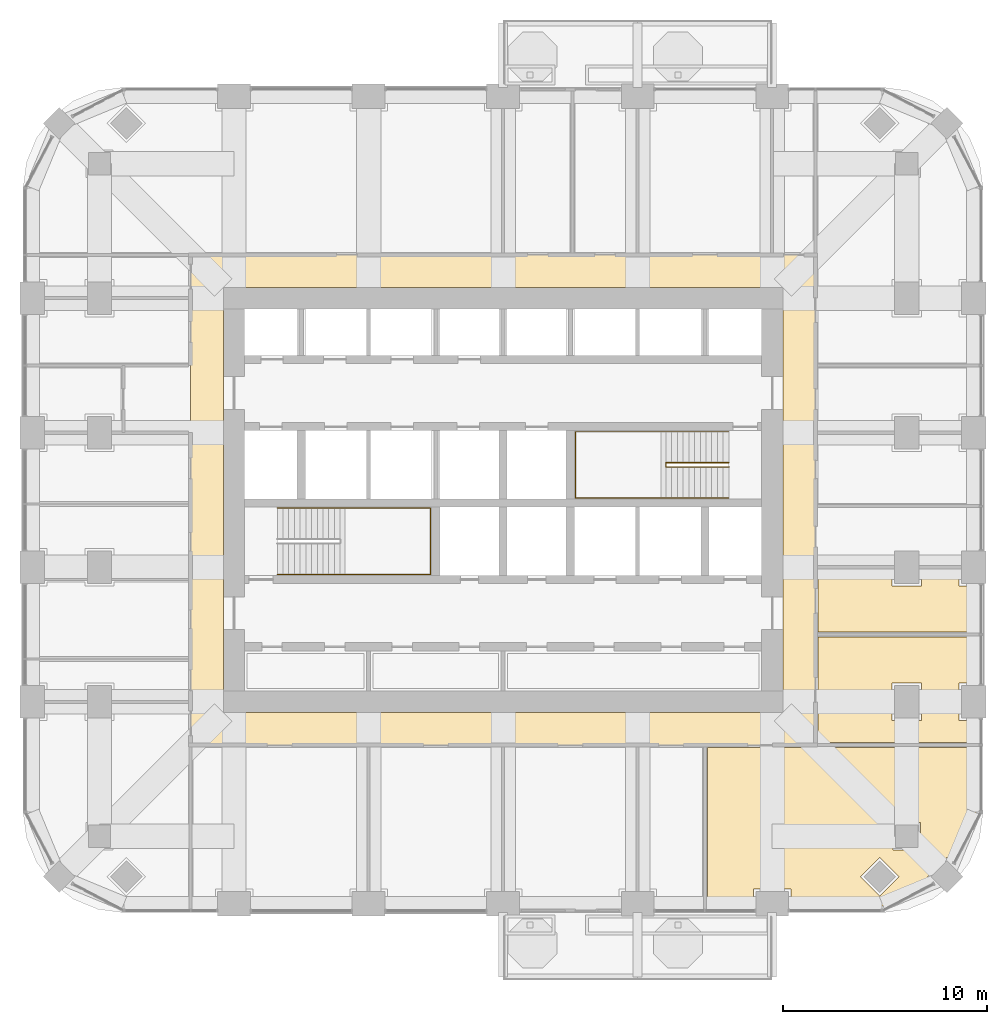
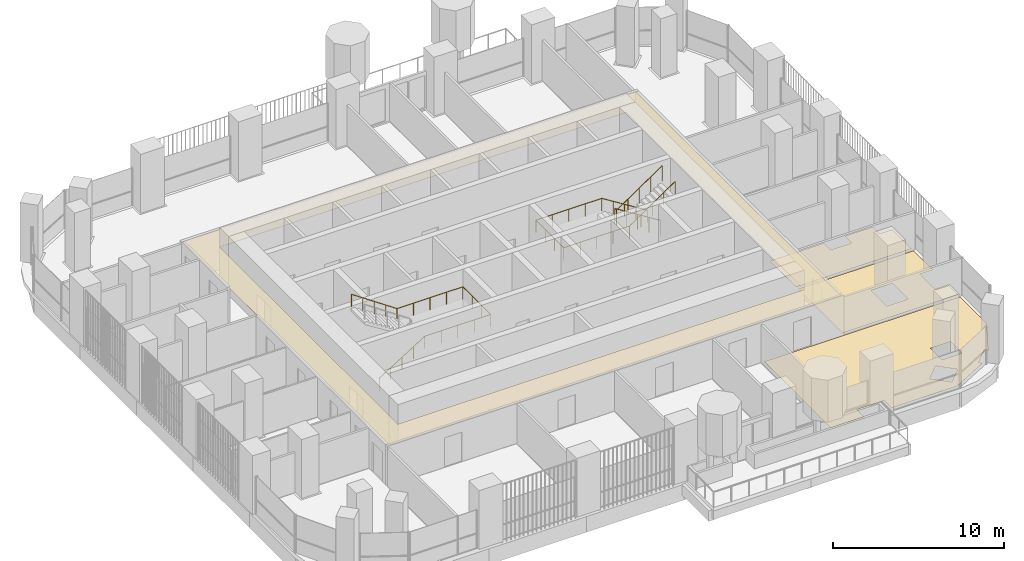
# One storey, part 18 of 20: 4 coverings, 3 railings.
"""IFC4 building model written with IfcOpenShell, lengths in metres."""

from ifc_helpers import new_model, si_unit, direction, frame, origin, place, context, subcontext, project, spatial, polyline, outline, extrude, material, layer, layer_set, type_object, element, save


model = new_model("IFC4")

# Units and contexts
model_context = context("Model", 3, precision=1e-05, world=origin(), true_north=direction((0.0, 1.0)))
body_context = subcontext(model_context, "Body", "Model", "MODEL_VIEW")
ifc_project = project(units=[si_unit("LENGTHUNIT", "METRE"), si_unit("AREAUNIT", "SQUARE_METRE"), si_unit("VOLUMEUNIT", "CUBIC_METRE"), si_unit("PLANEANGLEUNIT", "RADIAN"), si_unit("MASSUNIT", "GRAM", prefix="KILO")], contexts=[model_context])

# Site, building, storey
site_placement = place(None, origin())
site = spatial("IfcSite", under=ifc_project, at=site_placement, CompositionType="ELEMENT")
building_placement = place(site_placement, origin())
building = spatial("IfcBuilding", under=site, at=building_placement, Name="Cobogo Forest Laboratory Tower", CompositionType="ELEMENT")
storey_placement = place(building_placement, frame((0.0, 0.0, 189.300048828125)))
storey = spatial("IfcBuildingStorey", under=building, at=storey_placement, Name="L43", CompositionType="ELEMENT", Elevation=189.300048828125)

# Covering
ifc_material_1 = material(Name="Mineral fibre ceiling tile", Category="ceiling")
ifc_layer_1 = layer(ifc_material_1, 0.02001953125)
ifc_layer_set_1 = layer_set([ifc_layer_1], Name="CL1 suspended ceiling")
covering_type_1 = type_object("IfcCoveringType", Name="CL1 suspended ceiling", PredefinedType="CEILING", material=ifc_layer_set_1)
covering_1_placement = place(storey_placement, frame((0.0, 0.0, 2.800048828125)))
element("IfcCovering", 1, at=covering_1_placement, inside=storey, type_object=covering_type_1, Name="Corridor ceiling L43", PredefinedType="CEILING", context=body_context, shape_type="SweptSolid", body=[
    extrude(outline(polyline([(11.074951171875, 11.074951171875), (11.074951171875, 35.125), (41.72509765625, 35.125), (41.72509765625, 11.074951171875), (11.074951171875, 11.074951171875)]), holes=[polyline([(40.125, 33.52490234375), (12.675048828125, 33.52490234375), (12.675048828125, 12.675048828125), (40.125, 12.675048828125), (40.125, 33.52490234375)])]), origin(), (0.0, 0.0, 1.0), 0.02001953125),
])

# Railings
ifc_material_2 = material(Name="Steel balustrade", Category="steel")
railing_type_1 = type_object("IfcRailingType", Name="GR stair guard 1100", PredefinedType="GUARDRAIL", material=ifc_material_2)
railing_1_placement = place(storey_placement, frame((37.47509765625, 24.929931640625, 0.175048828125)))
element("IfcRailing", 2, at=railing_1_placement, inside=storey, type_object=railing_type_1, Name="Stair guard ST2 L43", PredefinedType="GUARDRAIL", context=body_context, shape_type="SweptSolid", body=[
    extrude(outline(polyline([(0.022216796875, 0.00927734375), (0.00927734375, 0.022216796875), (-0.00927734375, 0.022216796875), (-0.022216796875, 0.00927734375), (-0.022216796875, -0.00927734375), (-0.00927734375, -0.022216796875), (0.00927734375, -0.022216796875), (0.022216796875, -0.00927734375), (0.022216796875, 0.00927734375)])), frame((0.0, 0.0, 1.077880859375), z_axis=(-0.848028513186, 0.0, 0.529950602248), x_axis=(0.0, -1.0, 0.0)), (0.0, 0.0, 1.0), 3.632080078125),
    extrude(outline(polyline([(0.022216796875, 0.00927734375), (0.00927734375, 0.022216796875), (-0.00927734375, 0.022216796875), (-0.022216796875, 0.00927734375), (-0.022216796875, -0.00927734375), (-0.00927734375, -0.022216796875), (0.00927734375, -0.022216796875), (0.022216796875, -0.00927734375), (0.022216796875, 0.00927734375)])), frame((-3.080078125, 0.0, 3.002685546875), z_axis=(0.0, -1.0, 0.0), x_axis=(1.0, 0.0, 0.0)), (0.0, 0.0, 1.0), 0.2099609375),
    extrude(outline(polyline([(0.022216796875, 0.00927734375), (0.00927734375, 0.022216796875), (-0.00927734375, 0.022216796875), (-0.022216796875, 0.00927734375), (-0.022216796875, -0.00927734375), (-0.00927734375, -0.022216796875), (0.00927734375, -0.022216796875), (0.022216796875, -0.00927734375), (0.022216796875, 0.00927734375)])), frame((-3.080078125, -0.2099609375, 3.002685546875), z_axis=(0.826221800596, 0.0, 0.563344953133), x_axis=(0.0, 1.0, 0.0)), (0.0, 0.0, 1.0), 3.72802734375),
    extrude(outline(polyline([(0.019287109375, 0.008056640625), (0.008056640625, 0.019287109375), (-0.008056640625, 0.019287109375), (-0.019287109375, 0.008056640625), (-0.019287109375, -0.008056640625), (-0.008056640625, -0.019287109375), (0.008056640625, -0.019287109375), (0.019287109375, -0.008056640625), (0.019287109375, 0.008056640625)])), origin(), (0.0, 0.0, 1.0), 1.077880859375),
    extrude(outline(polyline([(0.019287109375, 0.008056640625), (0.008056640625, 0.019287109375), (-0.008056640625, 0.019287109375), (-0.019287109375, 0.008056640625), (-0.019287109375, -0.008056640625), (-0.008056640625, -0.019287109375), (0.008056640625, -0.019287109375), (0.019287109375, -0.008056640625), (0.019287109375, 0.008056640625)])), frame((-0.77001953125, 0.0, 0.481201171875)), (0.0, 0.0, 1.0), 1.077880859375),
    extrude(outline(polyline([(0.019287109375, 0.008056640625), (0.008056640625, 0.019287109375), (-0.008056640625, 0.019287109375), (-0.019287109375, 0.008056640625), (-0.019287109375, -0.008056640625), (-0.008056640625, -0.019287109375), (0.008056640625, -0.019287109375), (0.019287109375, -0.008056640625), (0.019287109375, 0.008056640625)])), frame((-1.5400390625, 0.0, 0.96240234375)), (0.0, 0.0, 1.0), 1.077880859375),
    extrude(outline(polyline([(0.019287109375, 0.008056640625), (0.008056640625, 0.019287109375), (-0.008056640625, 0.019287109375), (-0.019287109375, 0.008056640625), (-0.019287109375, -0.008056640625), (-0.008056640625, -0.019287109375), (0.008056640625, -0.019287109375), (0.019287109375, -0.008056640625), (0.019287109375, 0.008056640625)])), frame((-2.31005859375, 0.0, 1.443603515625)), (0.0, 0.0, 1.0), 1.077880859375),
    extrude(outline(polyline([(0.019287109375, 0.008056640625), (0.008056640625, 0.019287109375), (-0.008056640625, 0.019287109375), (-0.019287109375, 0.008056640625), (-0.019287109375, -0.008056640625), (-0.008056640625, -0.019287109375), (0.008056640625, -0.019287109375), (0.019287109375, -0.008056640625), (0.019287109375, 0.008056640625)])), frame((-3.080078125, 0.0, 1.9248046875)), (0.0, 0.0, 1.0), 1.077880859375),
    extrude(outline(polyline([(0.019287109375, 0.008056640625), (0.008056640625, 0.019287109375), (-0.008056640625, 0.019287109375), (-0.019287109375, 0.008056640625), (-0.019287109375, -0.008056640625), (-0.008056640625, -0.019287109375), (0.008056640625, -0.019287109375), (0.019287109375, -0.008056640625), (0.019287109375, 0.008056640625)])), frame((-3.080078125, -0.2099609375, 1.9248046875)), (0.0, 0.0, 1.0), 1.077880859375),
    extrude(outline(polyline([(0.019287109375, 0.008056640625), (0.008056640625, 0.019287109375), (-0.008056640625, 0.019287109375), (-0.019287109375, 0.008056640625), (-0.019287109375, -0.008056640625), (-0.008056640625, -0.019287109375), (0.008056640625, -0.019287109375), (0.019287109375, -0.008056640625), (0.019287109375, 0.008056640625)])), frame((-2.31005859375, -0.2099609375, 2.44970703125)), (0.0, 0.0, 1.0), 1.077880859375),
    extrude(outline(polyline([(0.019287109375, 0.008056640625), (0.008056640625, 0.019287109375), (-0.008056640625, 0.019287109375), (-0.019287109375, 0.008056640625), (-0.019287109375, -0.008056640625), (-0.008056640625, -0.019287109375), (0.008056640625, -0.019287109375), (0.019287109375, -0.008056640625), (0.019287109375, 0.008056640625)])), frame((-1.5400390625, -0.2099609375, 2.974853515625)), (0.0, 0.0, 1.0), 1.077880859375),
    extrude(outline(polyline([(0.019287109375, 0.008056640625), (0.008056640625, 0.019287109375), (-0.008056640625, 0.019287109375), (-0.019287109375, 0.008056640625), (-0.019287109375, -0.008056640625), (-0.008056640625, -0.019287109375), (0.008056640625, -0.019287109375), (0.019287109375, -0.008056640625), (0.019287109375, 0.008056640625)])), frame((-0.77001953125, -0.2099609375, 3.5)), (0.0, 0.0, 1.0), 1.077880859375),
    extrude(outline(polyline([(0.019287109375, 0.008056640625), (0.008056640625, 0.019287109375), (-0.008056640625, 0.019287109375), (-0.019287109375, 0.008056640625), (-0.019287109375, -0.008056640625), (-0.008056640625, -0.019287109375), (0.008056640625, -0.019287109375), (0.019287109375, -0.008056640625), (0.019287109375, 0.008056640625)])), frame((0.0, -0.2099609375, 4.02490234375)), (0.0, 0.0, 1.0), 1.077880859375),
])
ifc_material_3 = material(Name="Stainless steel handrail", Category="steel")
railing_type_2 = type_object("IfcRailingType", Name="HR handrail 900", PredefinedType="HANDRAIL", material=ifc_material_3)
railing_2_placement = place(storey_placement, frame((15.324951171875, 19.449951171875, 0.175048828125)))
element("IfcRailing", 3, at=railing_2_placement, inside=storey, type_object=railing_type_2, Name="Stair handrail ST1 L43", PredefinedType="HANDRAIL", context=body_context, shape_type="SweptSolid", body=[
    extrude(outline(polyline([(0.022216796875, 0.00927734375), (0.00927734375, 0.022216796875), (-0.00927734375, 0.022216796875), (-0.022216796875, 0.00927734375), (-0.022216796875, -0.00927734375), (-0.00927734375, -0.022216796875), (0.00927734375, -0.022216796875), (0.022216796875, -0.00927734375), (0.022216796875, 0.00927734375)])), frame((0.0, 0.0, 0.877685546875), z_axis=(0.848028513186, 0.0, 0.529950602248), x_axis=(0.0, 1.0, 0.0)), (0.0, 0.0, 1.0), 3.632080078125),
    extrude(outline(polyline([(0.022216796875, 0.00927734375), (0.00927734375, 0.022216796875), (-0.00927734375, 0.022216796875), (-0.022216796875, 0.00927734375), (-0.022216796875, -0.00927734375), (-0.00927734375, -0.022216796875), (0.00927734375, -0.022216796875), (0.022216796875, -0.00927734375), (0.022216796875, 0.00927734375)])), frame((3.080078125, 0.0, 2.802490234375), z_axis=(1.0, 0.0, 0.0), x_axis=(0.0, 1.0, 0.0)), (0.0, 0.0, 1.0), 4.445068359375),
    extrude(outline(polyline([(0.022216796875, 0.00927734375), (0.00927734375, 0.022216796875), (-0.00927734375, 0.022216796875), (-0.022216796875, 0.00927734375), (-0.022216796875, -0.00927734375), (-0.00927734375, -0.022216796875), (0.00927734375, -0.022216796875), (0.022216796875, -0.00927734375), (0.022216796875, 0.00927734375)])), frame((7.525146484375, 0.0, 2.802490234375), z_axis=(0.0, 1.0, 0.0), x_axis=(-1.0, 0.0, 0.0)), (0.0, 0.0, 1.0), 3.25),
    extrude(outline(polyline([(0.022216796875, 0.00927734375), (0.00927734375, 0.022216796875), (-0.00927734375, 0.022216796875), (-0.022216796875, 0.00927734375), (-0.022216796875, -0.00927734375), (-0.00927734375, -0.022216796875), (0.00927734375, -0.022216796875), (0.022216796875, -0.00927734375), (0.022216796875, 0.00927734375)])), frame((7.525146484375, 3.25, 2.802490234375), z_axis=(-1.0, 0.0, 0.0), x_axis=(0.0, -1.0, 0.0)), (0.0, 0.0, 1.0), 4.445068359375),
    extrude(outline(polyline([(0.022216796875, 0.00927734375), (0.00927734375, 0.022216796875), (-0.00927734375, 0.022216796875), (-0.022216796875, 0.00927734375), (-0.022216796875, -0.00927734375), (-0.00927734375, -0.022216796875), (0.00927734375, -0.022216796875), (0.022216796875, -0.00927734375), (0.022216796875, 0.00927734375)])), frame((3.080078125, 3.25, 2.802490234375), z_axis=(-0.826221800596, 0.0, 0.563344953133), x_axis=(0.0, -1.0, 0.0)), (0.0, 0.0, 1.0), 3.72802734375),
    extrude(outline(polyline([(0.019287109375, 0.008056640625), (0.008056640625, 0.019287109375), (-0.008056640625, 0.019287109375), (-0.019287109375, 0.008056640625), (-0.019287109375, -0.008056640625), (-0.008056640625, -0.019287109375), (0.008056640625, -0.019287109375), (0.019287109375, -0.008056640625), (0.019287109375, 0.008056640625)])), origin(), (0.0, 0.0, 1.0), 0.877685546875),
    extrude(outline(polyline([(0.019287109375, 0.008056640625), (0.008056640625, 0.019287109375), (-0.008056640625, 0.019287109375), (-0.019287109375, 0.008056640625), (-0.019287109375, -0.008056640625), (-0.008056640625, -0.019287109375), (0.008056640625, -0.019287109375), (0.019287109375, -0.008056640625), (0.019287109375, 0.008056640625)])), frame((0.77001953125, 0.0, 0.481201171875)), (0.0, 0.0, 1.0), 0.877685546875),
    extrude(outline(polyline([(0.019287109375, 0.008056640625), (0.008056640625, 0.019287109375), (-0.008056640625, 0.019287109375), (-0.019287109375, 0.008056640625), (-0.019287109375, -0.008056640625), (-0.008056640625, -0.019287109375), (0.008056640625, -0.019287109375), (0.019287109375, -0.008056640625), (0.019287109375, 0.008056640625)])), frame((1.5400390625, 0.0, 0.96240234375)), (0.0, 0.0, 1.0), 0.877685546875),
    extrude(outline(polyline([(0.019287109375, 0.008056640625), (0.008056640625, 0.019287109375), (-0.008056640625, 0.019287109375), (-0.019287109375, 0.008056640625), (-0.019287109375, -0.008056640625), (-0.008056640625, -0.019287109375), (0.008056640625, -0.019287109375), (0.019287109375, -0.008056640625), (0.019287109375, 0.008056640625)])), frame((2.31005859375, 0.0, 1.443603515625)), (0.0, 0.0, 1.0), 0.877685546875),
    extrude(outline(polyline([(0.019287109375, 0.008056640625), (0.008056640625, 0.019287109375), (-0.008056640625, 0.019287109375), (-0.019287109375, 0.008056640625), (-0.019287109375, -0.008056640625), (-0.008056640625, -0.019287109375), (0.008056640625, -0.019287109375), (0.019287109375, -0.008056640625), (0.019287109375, 0.008056640625)])), frame((3.080078125, 0.0, 1.9248046875)), (0.0, 0.0, 1.0), 0.877685546875),
    extrude(outline(polyline([(0.019287109375, 0.008056640625), (0.008056640625, 0.019287109375), (-0.008056640625, 0.019287109375), (-0.019287109375, 0.008056640625), (-0.019287109375, -0.008056640625), (-0.008056640625, -0.019287109375), (0.008056640625, -0.019287109375), (0.019287109375, -0.008056640625), (0.019287109375, 0.008056640625)])), frame((4.19140625, 0.0, 1.9248046875)), (0.0, 0.0, 1.0), 0.877685546875),
    extrude(outline(polyline([(0.019287109375, 0.008056640625), (0.008056640625, 0.019287109375), (-0.008056640625, 0.019287109375), (-0.019287109375, 0.008056640625), (-0.019287109375, -0.008056640625), (-0.008056640625, -0.019287109375), (0.008056640625, -0.019287109375), (0.019287109375, -0.008056640625), (0.019287109375, 0.008056640625)])), frame((5.302734375, 0.0, 1.9248046875)), (0.0, 0.0, 1.0), 0.877685546875),
    extrude(outline(polyline([(0.019287109375, 0.008056640625), (0.008056640625, 0.019287109375), (-0.008056640625, 0.019287109375), (-0.019287109375, 0.008056640625), (-0.019287109375, -0.008056640625), (-0.008056640625, -0.019287109375), (0.008056640625, -0.019287109375), (0.019287109375, -0.008056640625), (0.019287109375, 0.008056640625)])), frame((6.413818359375, 0.0, 1.9248046875)), (0.0, 0.0, 1.0), 0.877685546875),
    extrude(outline(polyline([(0.019287109375, 0.008056640625), (0.008056640625, 0.019287109375), (-0.008056640625, 0.019287109375), (-0.019287109375, 0.008056640625), (-0.019287109375, -0.008056640625), (-0.008056640625, -0.019287109375), (0.008056640625, -0.019287109375), (0.019287109375, -0.008056640625), (0.019287109375, 0.008056640625)])), frame((7.525146484375, 0.0, 1.9248046875)), (0.0, 0.0, 1.0), 0.877685546875),
    extrude(outline(polyline([(0.019287109375, 0.008056640625), (0.008056640625, 0.019287109375), (-0.008056640625, 0.019287109375), (-0.019287109375, 0.008056640625), (-0.019287109375, -0.008056640625), (-0.008056640625, -0.019287109375), (0.008056640625, -0.019287109375), (0.019287109375, -0.008056640625), (0.019287109375, 0.008056640625)])), frame((7.525146484375, 1.083251953125, 1.9248046875)), (0.0, 0.0, 1.0), 0.877685546875),
    extrude(outline(polyline([(0.019287109375, 0.008056640625), (0.008056640625, 0.019287109375), (-0.008056640625, 0.019287109375), (-0.019287109375, 0.008056640625), (-0.019287109375, -0.008056640625), (-0.008056640625, -0.019287109375), (0.008056640625, -0.019287109375), (0.019287109375, -0.008056640625), (0.019287109375, 0.008056640625)])), frame((7.525146484375, 2.166748046875, 1.9248046875)), (0.0, 0.0, 1.0), 0.877685546875),
    extrude(outline(polyline([(0.019287109375, 0.008056640625), (0.008056640625, 0.019287109375), (-0.008056640625, 0.019287109375), (-0.019287109375, 0.008056640625), (-0.019287109375, -0.008056640625), (-0.008056640625, -0.019287109375), (0.008056640625, -0.019287109375), (0.019287109375, -0.008056640625), (0.019287109375, 0.008056640625)])), frame((7.525146484375, 3.25, 1.9248046875)), (0.0, 0.0, 1.0), 0.877685546875),
    extrude(outline(polyline([(0.019287109375, 0.008056640625), (0.008056640625, 0.019287109375), (-0.008056640625, 0.019287109375), (-0.019287109375, 0.008056640625), (-0.019287109375, -0.008056640625), (-0.008056640625, -0.019287109375), (0.008056640625, -0.019287109375), (0.019287109375, -0.008056640625), (0.019287109375, 0.008056640625)])), frame((6.413818359375, 3.25, 1.9248046875)), (0.0, 0.0, 1.0), 0.877685546875),
    extrude(outline(polyline([(0.019287109375, 0.008056640625), (0.008056640625, 0.019287109375), (-0.008056640625, 0.019287109375), (-0.019287109375, 0.008056640625), (-0.019287109375, -0.008056640625), (-0.008056640625, -0.019287109375), (0.008056640625, -0.019287109375), (0.019287109375, -0.008056640625), (0.019287109375, 0.008056640625)])), frame((5.302734375, 3.25, 1.9248046875)), (0.0, 0.0, 1.0), 0.877685546875),
    extrude(outline(polyline([(0.019287109375, 0.008056640625), (0.008056640625, 0.019287109375), (-0.008056640625, 0.019287109375), (-0.019287109375, 0.008056640625), (-0.019287109375, -0.008056640625), (-0.008056640625, -0.019287109375), (0.008056640625, -0.019287109375), (0.019287109375, -0.008056640625), (0.019287109375, 0.008056640625)])), frame((4.19140625, 3.25, 1.9248046875)), (0.0, 0.0, 1.0), 0.877685546875),
    extrude(outline(polyline([(0.019287109375, 0.008056640625), (0.008056640625, 0.019287109375), (-0.008056640625, 0.019287109375), (-0.019287109375, 0.008056640625), (-0.019287109375, -0.008056640625), (-0.008056640625, -0.019287109375), (0.008056640625, -0.019287109375), (0.019287109375, -0.008056640625), (0.019287109375, 0.008056640625)])), frame((3.080078125, 3.25, 1.9248046875)), (0.0, 0.0, 1.0), 0.877685546875),
    extrude(outline(polyline([(0.019287109375, 0.008056640625), (0.008056640625, 0.019287109375), (-0.008056640625, 0.019287109375), (-0.019287109375, 0.008056640625), (-0.019287109375, -0.008056640625), (-0.008056640625, -0.019287109375), (0.008056640625, -0.019287109375), (0.019287109375, -0.008056640625), (0.019287109375, 0.008056640625)])), frame((2.31005859375, 3.25, 2.44970703125)), (0.0, 0.0, 1.0), 0.877685546875),
    extrude(outline(polyline([(0.019287109375, 0.008056640625), (0.008056640625, 0.019287109375), (-0.008056640625, 0.019287109375), (-0.019287109375, 0.008056640625), (-0.019287109375, -0.008056640625), (-0.008056640625, -0.019287109375), (0.008056640625, -0.019287109375), (0.019287109375, -0.008056640625), (0.019287109375, 0.008056640625)])), frame((1.5400390625, 3.25, 2.974853515625)), (0.0, 0.0, 1.0), 0.877685546875),
    extrude(outline(polyline([(0.019287109375, 0.008056640625), (0.008056640625, 0.019287109375), (-0.008056640625, 0.019287109375), (-0.019287109375, 0.008056640625), (-0.019287109375, -0.008056640625), (-0.008056640625, -0.019287109375), (0.008056640625, -0.019287109375), (0.019287109375, -0.008056640625), (0.019287109375, 0.008056640625)])), frame((0.77001953125, 3.25, 3.5)), (0.0, 0.0, 1.0), 0.877685546875),
    extrude(outline(polyline([(0.019287109375, 0.008056640625), (0.008056640625, 0.019287109375), (-0.008056640625, 0.019287109375), (-0.019287109375, 0.008056640625), (-0.019287109375, -0.008056640625), (-0.008056640625, -0.019287109375), (0.008056640625, -0.019287109375), (0.019287109375, -0.008056640625), (0.019287109375, 0.008056640625)])), frame((0.0, 3.25, 4.02490234375)), (0.0, 0.0, 1.0), 0.877685546875),
])
railing_3_placement = place(storey_placement, frame((37.47509765625, 26.449951171875, 0.175048828125)))
element("IfcRailing", 4, at=railing_3_placement, inside=storey, type_object=railing_type_2, Name="Stair handrail ST2 L43", PredefinedType="HANDRAIL", context=body_context, shape_type="SweptSolid", body=[
    extrude(outline(polyline([(0.022216796875, 0.00927734375), (0.00927734375, 0.022216796875), (-0.00927734375, 0.022216796875), (-0.022216796875, 0.00927734375), (-0.022216796875, -0.00927734375), (-0.00927734375, -0.022216796875), (0.00927734375, -0.022216796875), (0.022216796875, -0.00927734375), (0.022216796875, 0.00927734375)])), frame((0.0, 0.0, 0.877685546875), z_axis=(-0.848028513186, 0.0, 0.529950602248), x_axis=(0.0, -1.0, 0.0)), (0.0, 0.0, 1.0), 3.632080078125),
    extrude(outline(polyline([(0.022216796875, 0.00927734375), (0.00927734375, 0.022216796875), (-0.00927734375, 0.022216796875), (-0.022216796875, 0.00927734375), (-0.022216796875, -0.00927734375), (-0.00927734375, -0.022216796875), (0.00927734375, -0.022216796875), (0.022216796875, -0.00927734375), (0.022216796875, 0.00927734375)])), frame((-3.080078125, 0.0, 2.802490234375), z_axis=(-1.0, 0.0, 0.0), x_axis=(0.0, -1.0, 0.0)), (0.0, 0.0, 1.0), 4.445068359375),
    extrude(outline(polyline([(0.022216796875, 0.00927734375), (0.00927734375, 0.022216796875), (-0.00927734375, 0.022216796875), (-0.022216796875, 0.00927734375), (-0.022216796875, -0.00927734375), (-0.00927734375, -0.022216796875), (0.00927734375, -0.022216796875), (0.022216796875, -0.00927734375), (0.022216796875, 0.00927734375)])), frame((-7.525146484375, 0.0, 2.802490234375), z_axis=(0.0, -1.0, 0.0), x_axis=(1.0, 0.0, 0.0)), (0.0, 0.0, 1.0), 3.25),
    extrude(outline(polyline([(0.022216796875, 0.00927734375), (0.00927734375, 0.022216796875), (-0.00927734375, 0.022216796875), (-0.022216796875, 0.00927734375), (-0.022216796875, -0.00927734375), (-0.00927734375, -0.022216796875), (0.00927734375, -0.022216796875), (0.022216796875, -0.00927734375), (0.022216796875, 0.00927734375)])), frame((-7.525146484375, -3.25, 2.802490234375), z_axis=(1.0, 0.0, 0.0), x_axis=(0.0, 1.0, 0.0)), (0.0, 0.0, 1.0), 4.445068359375),
    extrude(outline(polyline([(0.022216796875, 0.00927734375), (0.00927734375, 0.022216796875), (-0.00927734375, 0.022216796875), (-0.022216796875, 0.00927734375), (-0.022216796875, -0.00927734375), (-0.00927734375, -0.022216796875), (0.00927734375, -0.022216796875), (0.022216796875, -0.00927734375), (0.022216796875, 0.00927734375)])), frame((-3.080078125, -3.25, 2.802490234375), z_axis=(0.826221800596, 0.0, 0.563344953133), x_axis=(0.0, 1.0, 0.0)), (0.0, 0.0, 1.0), 3.72802734375),
    extrude(outline(polyline([(0.019287109375, 0.008056640625), (0.008056640625, 0.019287109375), (-0.008056640625, 0.019287109375), (-0.019287109375, 0.008056640625), (-0.019287109375, -0.008056640625), (-0.008056640625, -0.019287109375), (0.008056640625, -0.019287109375), (0.019287109375, -0.008056640625), (0.019287109375, 0.008056640625)])), origin(), (0.0, 0.0, 1.0), 0.877685546875),
    extrude(outline(polyline([(0.019287109375, 0.008056640625), (0.008056640625, 0.019287109375), (-0.008056640625, 0.019287109375), (-0.019287109375, 0.008056640625), (-0.019287109375, -0.008056640625), (-0.008056640625, -0.019287109375), (0.008056640625, -0.019287109375), (0.019287109375, -0.008056640625), (0.019287109375, 0.008056640625)])), frame((-0.77001953125, 0.0, 0.481201171875)), (0.0, 0.0, 1.0), 0.877685546875),
    extrude(outline(polyline([(0.019287109375, 0.008056640625), (0.008056640625, 0.019287109375), (-0.008056640625, 0.019287109375), (-0.019287109375, 0.008056640625), (-0.019287109375, -0.008056640625), (-0.008056640625, -0.019287109375), (0.008056640625, -0.019287109375), (0.019287109375, -0.008056640625), (0.019287109375, 0.008056640625)])), frame((-1.5400390625, 0.0, 0.96240234375)), (0.0, 0.0, 1.0), 0.877685546875),
    extrude(outline(polyline([(0.019287109375, 0.008056640625), (0.008056640625, 0.019287109375), (-0.008056640625, 0.019287109375), (-0.019287109375, 0.008056640625), (-0.019287109375, -0.008056640625), (-0.008056640625, -0.019287109375), (0.008056640625, -0.019287109375), (0.019287109375, -0.008056640625), (0.019287109375, 0.008056640625)])), frame((-2.31005859375, 0.0, 1.443603515625)), (0.0, 0.0, 1.0), 0.877685546875),
    extrude(outline(polyline([(0.019287109375, 0.008056640625), (0.008056640625, 0.019287109375), (-0.008056640625, 0.019287109375), (-0.019287109375, 0.008056640625), (-0.019287109375, -0.008056640625), (-0.008056640625, -0.019287109375), (0.008056640625, -0.019287109375), (0.019287109375, -0.008056640625), (0.019287109375, 0.008056640625)])), frame((-3.080078125, 0.0, 1.9248046875)), (0.0, 0.0, 1.0), 0.877685546875),
    extrude(outline(polyline([(0.019287109375, 0.008056640625), (0.008056640625, 0.019287109375), (-0.008056640625, 0.019287109375), (-0.019287109375, 0.008056640625), (-0.019287109375, -0.008056640625), (-0.008056640625, -0.019287109375), (0.008056640625, -0.019287109375), (0.019287109375, -0.008056640625), (0.019287109375, 0.008056640625)])), frame((-4.19140625, 0.0, 1.9248046875)), (0.0, 0.0, 1.0), 0.877685546875),
    extrude(outline(polyline([(0.019287109375, 0.008056640625), (0.008056640625, 0.019287109375), (-0.008056640625, 0.019287109375), (-0.019287109375, 0.008056640625), (-0.019287109375, -0.008056640625), (-0.008056640625, -0.019287109375), (0.008056640625, -0.019287109375), (0.019287109375, -0.008056640625), (0.019287109375, 0.008056640625)])), frame((-5.302734375, 0.0, 1.9248046875)), (0.0, 0.0, 1.0), 0.877685546875),
    extrude(outline(polyline([(0.019287109375, 0.008056640625), (0.008056640625, 0.019287109375), (-0.008056640625, 0.019287109375), (-0.019287109375, 0.008056640625), (-0.019287109375, -0.008056640625), (-0.008056640625, -0.019287109375), (0.008056640625, -0.019287109375), (0.019287109375, -0.008056640625), (0.019287109375, 0.008056640625)])), frame((-6.413818359375, 0.0, 1.9248046875)), (0.0, 0.0, 1.0), 0.877685546875),
    extrude(outline(polyline([(0.019287109375, 0.008056640625), (0.008056640625, 0.019287109375), (-0.008056640625, 0.019287109375), (-0.019287109375, 0.008056640625), (-0.019287109375, -0.008056640625), (-0.008056640625, -0.019287109375), (0.008056640625, -0.019287109375), (0.019287109375, -0.008056640625), (0.019287109375, 0.008056640625)])), frame((-7.525146484375, 0.0, 1.9248046875)), (0.0, 0.0, 1.0), 0.877685546875),
    extrude(outline(polyline([(0.019287109375, 0.008056640625), (0.008056640625, 0.019287109375), (-0.008056640625, 0.019287109375), (-0.019287109375, 0.008056640625), (-0.019287109375, -0.008056640625), (-0.008056640625, -0.019287109375), (0.008056640625, -0.019287109375), (0.019287109375, -0.008056640625), (0.019287109375, 0.008056640625)])), frame((-7.525146484375, -1.083251953125, 1.9248046875)), (0.0, 0.0, 1.0), 0.877685546875),
    extrude(outline(polyline([(0.019287109375, 0.008056640625), (0.008056640625, 0.019287109375), (-0.008056640625, 0.019287109375), (-0.019287109375, 0.008056640625), (-0.019287109375, -0.008056640625), (-0.008056640625, -0.019287109375), (0.008056640625, -0.019287109375), (0.019287109375, -0.008056640625), (0.019287109375, 0.008056640625)])), frame((-7.525146484375, -2.166748046875, 1.9248046875)), (0.0, 0.0, 1.0), 0.877685546875),
    extrude(outline(polyline([(0.019287109375, 0.008056640625), (0.008056640625, 0.019287109375), (-0.008056640625, 0.019287109375), (-0.019287109375, 0.008056640625), (-0.019287109375, -0.008056640625), (-0.008056640625, -0.019287109375), (0.008056640625, -0.019287109375), (0.019287109375, -0.008056640625), (0.019287109375, 0.008056640625)])), frame((-7.525146484375, -3.25, 1.9248046875)), (0.0, 0.0, 1.0), 0.877685546875),
    extrude(outline(polyline([(0.019287109375, 0.008056640625), (0.008056640625, 0.019287109375), (-0.008056640625, 0.019287109375), (-0.019287109375, 0.008056640625), (-0.019287109375, -0.008056640625), (-0.008056640625, -0.019287109375), (0.008056640625, -0.019287109375), (0.019287109375, -0.008056640625), (0.019287109375, 0.008056640625)])), frame((-6.413818359375, -3.25, 1.9248046875)), (0.0, 0.0, 1.0), 0.877685546875),
    extrude(outline(polyline([(0.019287109375, 0.008056640625), (0.008056640625, 0.019287109375), (-0.008056640625, 0.019287109375), (-0.019287109375, 0.008056640625), (-0.019287109375, -0.008056640625), (-0.008056640625, -0.019287109375), (0.008056640625, -0.019287109375), (0.019287109375, -0.008056640625), (0.019287109375, 0.008056640625)])), frame((-5.302734375, -3.25, 1.9248046875)), (0.0, 0.0, 1.0), 0.877685546875),
    extrude(outline(polyline([(0.019287109375, 0.008056640625), (0.008056640625, 0.019287109375), (-0.008056640625, 0.019287109375), (-0.019287109375, 0.008056640625), (-0.019287109375, -0.008056640625), (-0.008056640625, -0.019287109375), (0.008056640625, -0.019287109375), (0.019287109375, -0.008056640625), (0.019287109375, 0.008056640625)])), frame((-4.19140625, -3.25, 1.9248046875)), (0.0, 0.0, 1.0), 0.877685546875),
    extrude(outline(polyline([(0.019287109375, 0.008056640625), (0.008056640625, 0.019287109375), (-0.008056640625, 0.019287109375), (-0.019287109375, 0.008056640625), (-0.019287109375, -0.008056640625), (-0.008056640625, -0.019287109375), (0.008056640625, -0.019287109375), (0.019287109375, -0.008056640625), (0.019287109375, 0.008056640625)])), frame((-3.080078125, -3.25, 1.9248046875)), (0.0, 0.0, 1.0), 0.877685546875),
    extrude(outline(polyline([(0.019287109375, 0.008056640625), (0.008056640625, 0.019287109375), (-0.008056640625, 0.019287109375), (-0.019287109375, 0.008056640625), (-0.019287109375, -0.008056640625), (-0.008056640625, -0.019287109375), (0.008056640625, -0.019287109375), (0.019287109375, -0.008056640625), (0.019287109375, 0.008056640625)])), frame((-2.31005859375, -3.25, 2.44970703125)), (0.0, 0.0, 1.0), 0.877685546875),
    extrude(outline(polyline([(0.019287109375, 0.008056640625), (0.008056640625, 0.019287109375), (-0.008056640625, 0.019287109375), (-0.019287109375, 0.008056640625), (-0.019287109375, -0.008056640625), (-0.008056640625, -0.019287109375), (0.008056640625, -0.019287109375), (0.019287109375, -0.008056640625), (0.019287109375, 0.008056640625)])), frame((-1.5400390625, -3.25, 2.974853515625)), (0.0, 0.0, 1.0), 0.877685546875),
    extrude(outline(polyline([(0.019287109375, 0.008056640625), (0.008056640625, 0.019287109375), (-0.008056640625, 0.019287109375), (-0.019287109375, 0.008056640625), (-0.019287109375, -0.008056640625), (-0.008056640625, -0.019287109375), (0.008056640625, -0.019287109375), (0.019287109375, -0.008056640625), (0.019287109375, 0.008056640625)])), frame((-0.77001953125, -3.25, 3.5)), (0.0, 0.0, 1.0), 0.877685546875),
    extrude(outline(polyline([(0.019287109375, 0.008056640625), (0.008056640625, 0.019287109375), (-0.008056640625, 0.019287109375), (-0.019287109375, 0.008056640625), (-0.019287109375, -0.008056640625), (-0.008056640625, -0.019287109375), (0.008056640625, -0.019287109375), (0.019287109375, -0.008056640625), (0.019287109375, 0.008056640625)])), frame((0.0, -3.25, 4.02490234375)), (0.0, 0.0, 1.0), 0.877685546875),
])

# Coverings
ifc_material_4 = material(Name="Static-dissipative vinyl flooring", Category="flooring")
ifc_layer_2 = layer(ifc_material_4, 0.0029296875)
ifc_layer_set_2 = layer_set([ifc_layer_2], Name="SD1 static-dissipative vinyl floor 3")
covering_type_2 = type_object("IfcCoveringType", Name="SD1 static-dissipative vinyl floor 3", PredefinedType="FLOORING", material=ifc_layer_set_2)
covering_2_placement = place(storey_placement, origin())
element("IfcCovering", 5, at=covering_2_placement, inside=storey, type_object=covering_type_2, Name="Static-dissipative floor L43-05", PredefinedType="FLOORING", context=body_context, shape_type="SweptSolid", body=[
    extrude(outline(polyline([(49.64990234375, 10.955078125), (49.64990234375, 7.84912109375), (48.359619140625, 5.387939453125), (48.181884765625, 5.5654296875), (47.234375, 4.617919921875), (47.412109375, 4.440185546875), (44.95068359375, 3.14990234375), (40.52001953125, 3.14990234375), (40.52001953125, 4.02001953125), (38.679931640625, 4.02001953125), (38.679931640625, 3.14990234375), (36.419921875, 3.14990234375), (36.419921875, 10.955078125), (49.64990234375, 10.955078125)]), holes=[polyline([(45.530029296875, 5.929931640625), (46.8701171875, 5.929931640625), (46.8701171875, 7.27001953125), (45.530029296875, 7.27001953125), (45.530029296875, 5.929931640625)]), polyline([(44.882080078125, 3.67041015625), (45.82958984375, 4.617919921875), (44.882080078125, 5.5654296875), (43.9345703125, 4.617919921875), (44.882080078125, 3.67041015625)])]), origin(), (0.0, 0.0, 1.0), 0.0029296875),
])
covering_3_placement = place(storey_placement, origin())
element("IfcCovering", 6, at=covering_3_placement, inside=storey, type_object=covering_type_2, Name="Static-dissipative floor L43-06", PredefinedType="FLOORING", context=body_context, shape_type="SweptSolid", body=[
    extrude(outline(polyline([(41.844970703125, 16.3798828125), (49.64990234375, 16.3798828125), (49.64990234375, 14.1201171875), (48.780029296875, 14.1201171875), (48.780029296875, 12.280029296875), (49.64990234375, 12.280029296875), (49.64990234375, 11.195068359375), (41.844970703125, 11.195068359375), (41.844970703125, 16.3798828125)]), holes=[polyline([(46.919921875, 12.280029296875), (46.919921875, 14.1201171875), (45.47998046875, 14.1201171875), (45.47998046875, 12.280029296875), (46.919921875, 12.280029296875)])]), origin(), (0.0, 0.0, 1.0), 0.0029296875),
])
covering_4_placement = place(storey_placement, origin())
element("IfcCovering", 7, at=covering_4_placement, inside=storey, type_object=covering_type_2, Name="Static-dissipative floor L43-07", PredefinedType="FLOORING", context=body_context, shape_type="SweptSolid", body=[
    extrude(outline(polyline([(41.844970703125, 19.679931640625), (45.47998046875, 19.679931640625), (45.47998046875, 18.8798828125), (46.919921875, 18.8798828125), (46.919921875, 19.679931640625), (48.780029296875, 19.679931640625), (48.780029296875, 18.8798828125), (49.64990234375, 18.8798828125), (49.64990234375, 16.6201171875), (41.844970703125, 16.6201171875), (41.844970703125, 19.679931640625)])), origin(), (0.0, 0.0, 1.0), 0.0029296875),
])

save(model, "model.ifc")
